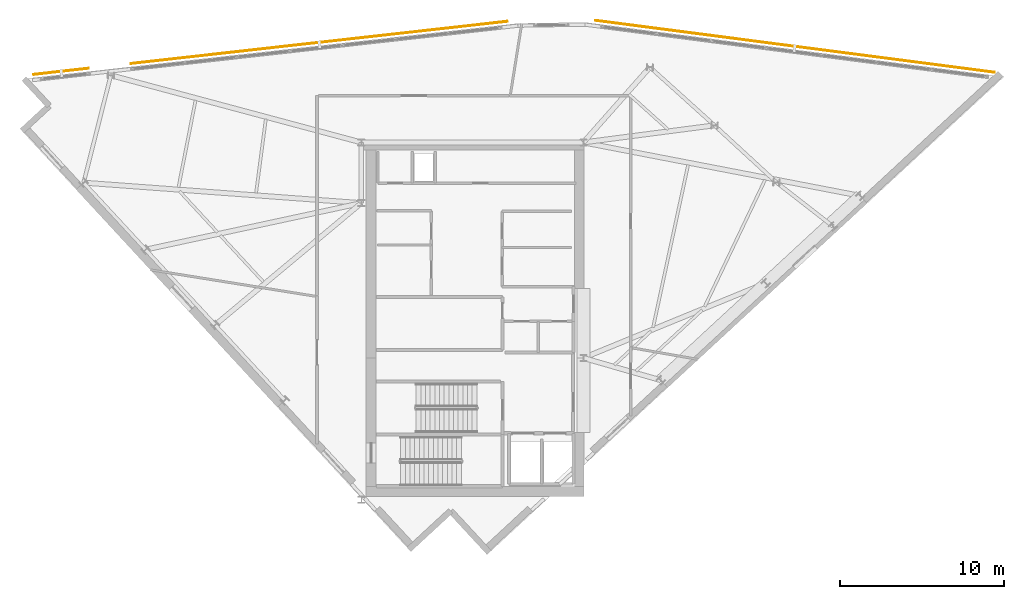
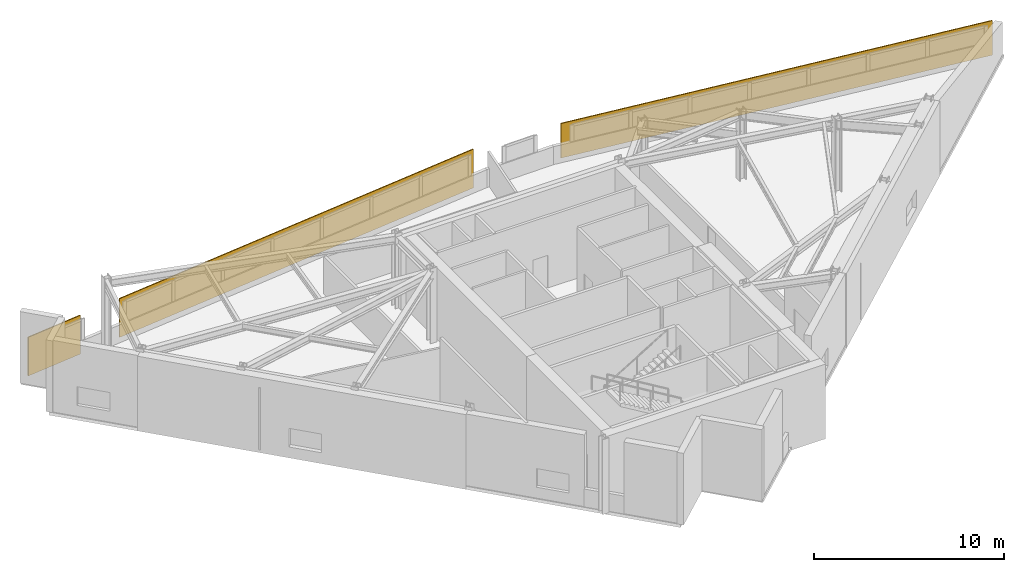
# One storey, part 12 of 12: 3 shading devices.
"""IFC4 building model written with IfcOpenShell, lengths in metres."""

from ifc_helpers import new_model, si_unit, direction, frame, origin, origin_2d, place, context, subcontext, project, spatial, rectangle, extrude, material, layer, layer_set, type_object, element, save


model = new_model("IFC4")

# Units and contexts
model_context = context("Model", 3, precision=1e-05, world=origin(), true_north=direction((0.0, 1.0)))
body_context = subcontext(model_context, "Body", "Model", "MODEL_VIEW")
ifc_project = project(units=[si_unit("LENGTHUNIT", "METRE"), si_unit("AREAUNIT", "SQUARE_METRE"), si_unit("VOLUMEUNIT", "CUBIC_METRE"), si_unit("PLANEANGLEUNIT", "RADIAN"), si_unit("MASSUNIT", "GRAM", prefix="KILO")], contexts=[model_context])

# Site, building, storey
site_placement = place(None, origin())
site = spatial("IfcSite", under=ifc_project, at=site_placement, CompositionType="ELEMENT")
building_placement = place(site_placement, origin())
building = spatial("IfcBuilding", under=site, at=building_placement, Name="Narakoshi Arena Tower", CompositionType="ELEMENT")
storey_placement = place(building_placement, frame((0.0, 0.0, 307.780029296875)))
storey = spatial("IfcBuildingStorey", under=building, at=storey_placement, Name="L83", CompositionType="ELEMENT", Elevation=307.780029296875)

# Shading devices
ifc_material = material(Name="Perforated bronze ceramic-metal composite")
ifc_layer = layer(ifc_material, 0.06005859375)
ifc_layer_set = layer_set([ifc_layer], Name="Perforated bronze ceramic-metal composite")
shading_device_type = type_object("IfcShadingDeviceType", Name="SHD-SCR-BRZ2", PredefinedType="USERDEFINED", material=ifc_layer_set)
shading_device_1_placement = place(storey_placement, frame((53.687744140625, 60.83203125, 0.0), z_axis=(0.0, 0.0, 1.0), x_axis=(0.993775698738, 0.111399553846, 0.0)))
element("IfcShadingDevice", 1, at=shading_device_1_placement, inside=storey, type_object=shading_device_type, Name="L83 Slanted-Cut Crown Bronze Screen 6-1", ObjectType="SOLAR SCREEN", PredefinedType="USERDEFINED", context=body_context, shape_type="SweptSolid", body=[
    extrude(rectangle(XDim=3.399658203125, YDim=0.06005859375, at=origin_2d()), origin(), (0.0, 0.0, 1.0), 2.4873046875),
])
shading_device_2_placement = place(storey_placement, frame((69.426025390625, 62.59619140625, 0.0), z_axis=(0.0, 0.0, 1.0), x_axis=(0.993775698738, 0.111399553846, 0.0)))
element("IfcShadingDevice", 2, at=shading_device_2_placement, inside=storey, type_object=shading_device_type, Name="L83 Slanted-Cut Crown Bronze Screen 6-2", ObjectType="SOLAR SCREEN", PredefinedType="USERDEFINED", context=body_context, shape_type="SweptSolid", body=[
    extrude(rectangle(XDim=23.134521484375, YDim=0.06005859375, at=origin_2d()), origin(), (0.0, 0.0, 1.0), 2.4873046875),
])
shading_device_3_placement = place(storey_placement, frame((98.45556640625, 62.357177734375, 0.0), z_axis=(0.0, 0.0, 1.0), x_axis=(0.991657669502, -0.128899443432, 0.0)))
element("IfcShadingDevice", 3, at=shading_device_3_placement, inside=storey, type_object=shading_device_type, Name="L83 Slanted-Cut Crown Bronze Screen 8-1", ObjectType="SOLAR SCREEN", PredefinedType="USERDEFINED", context=body_context, shape_type="SweptSolid", body=[
    extrude(rectangle(XDim=24.583984375, YDim=0.06005859375, at=origin_2d()), origin(), (0.0, 0.0, 1.0), 2.2216796875),
])

save(model, "model.ifc")
